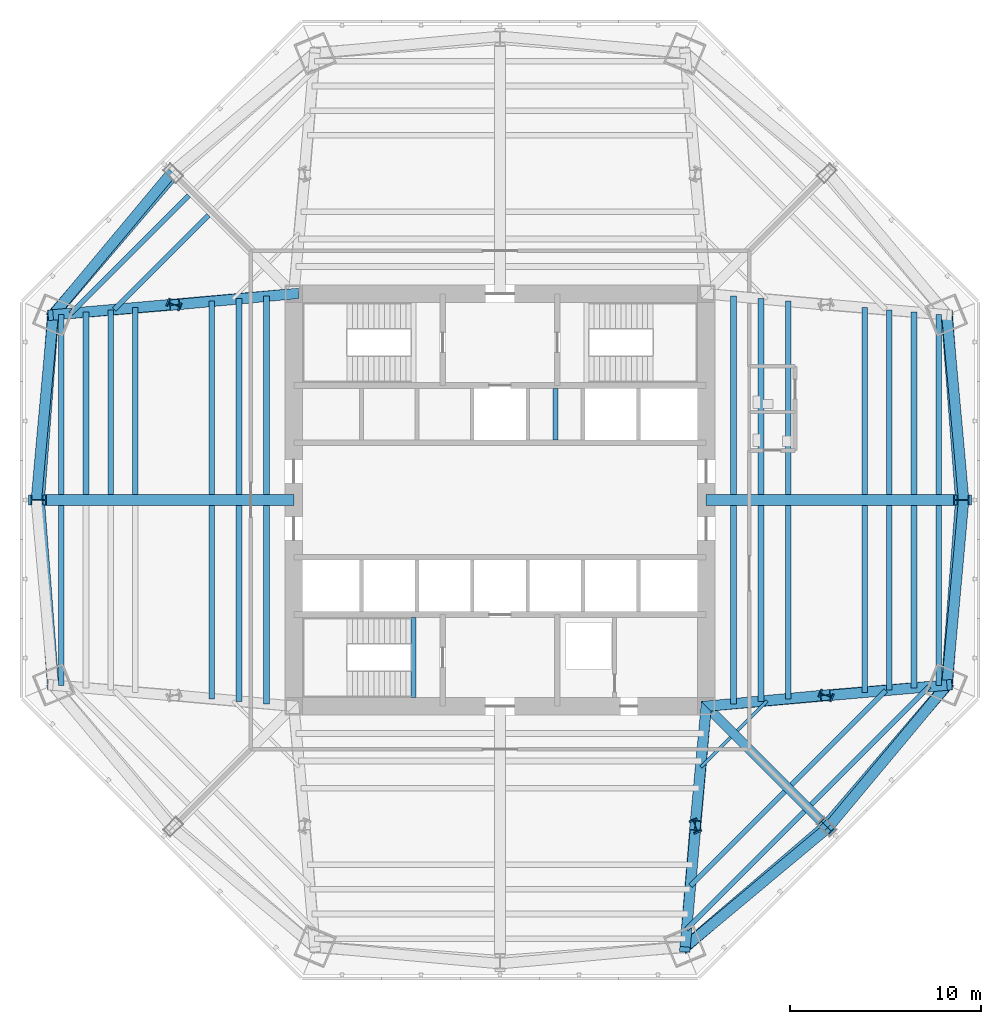
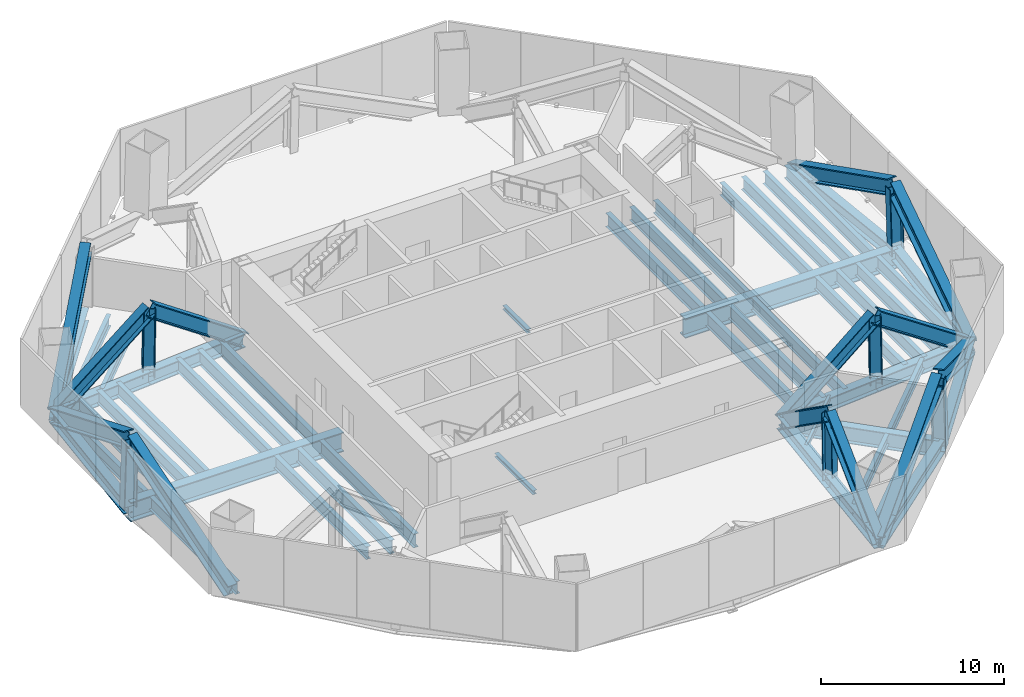
# One storey, part 2 of 9: 38 beams, 31 members.
"""IFC4 building model written with IfcOpenShell, lengths in metres."""

from ifc_helpers import new_model, si_unit, direction, frame, origin, origin_2d, place, context, subcontext, project, spatial, i_section, extrude, source, transform, mapped, material, material_profile, profile_set, type_object, type_shapes, element, save


model = new_model("IFC4")

# Units and contexts
model_context = context("Model", 3, precision=1e-05, world=origin(), true_north=direction((0.0, 1.0)))
body_context = subcontext(model_context, "Body", "Model", "MODEL_VIEW")
ifc_project = project(units=[si_unit("LENGTHUNIT", "METRE"), si_unit("AREAUNIT", "SQUARE_METRE"), si_unit("VOLUMEUNIT", "CUBIC_METRE"), si_unit("PLANEANGLEUNIT", "RADIAN"), si_unit("MASSUNIT", "GRAM", prefix="KILO")], contexts=[model_context])

# Site, building, storey
site_placement = place(None, origin())
site = spatial("IfcSite", under=ifc_project, at=site_placement, CompositionType="ELEMENT")
building_placement = place(site_placement, origin())
building = spatial("IfcBuilding", under=site, at=building_placement, Name="Mashrafa Tower", CompositionType="ELEMENT")
storey_placement = place(building_placement, frame((0.0, 0.0, 104.39990234375)))
storey = spatial("IfcBuildingStorey", under=building, at=storey_placement, Name="L23", CompositionType="ELEMENT", Elevation=104.39990234375)

# Beams
ifc_material_1 = material(Name="Steel ASTM A572 Gr 50", Category="steel")
ifc_material_profile_1 = material_profile(ifc_material_1, i_section(OverallWidth=0.5, OverallDepth=1.10009765625, WebThickness=0.02490234375, FlangeThickness=0.050048828125, at=origin_2d()), Name="H1100X500X25X50")
ifc_profile_set_1 = profile_set([ifc_material_profile_1], Name="Steel ASTM A572 Gr 50")
beam_type_1 = type_object("IfcBeamType", Name="Beam H1100X500X25X50", PredefinedType="BEAM", material=ifc_profile_set_1)
beam_1_placement = place(storey_placement, frame((10.800048828125, -10.800048828125, -0.7998046875), z_axis=(0.707106781187, -0.707106781187, 0.0), x_axis=(0.707106781187, 0.707106781187, 0.0)))
element("IfcBeam", 1, at=beam_1_placement, inside=storey, type_object=beam_type_1, Name="Radial girder L23 086", PredefinedType="BEAM", context=body_context, shape_type="SweptSolid", body=[
    extrude(i_section(OverallWidth=0.5, OverallDepth=1.10009765625, WebThickness=0.02490234375, FlangeThickness=0.050048828125, at=origin_2d()), origin(), (0.0, 0.0, 1.0), 8.994873046875),
])
ifc_material_2 = material(Name="Steel ASTM A572 Gr 50", Category="steel")
ifc_material_profile_2 = material_profile(ifc_material_2, i_section(OverallWidth=0.60009765625, OverallDepth=1.300048828125, WebThickness=0.028076171875, FlangeThickness=0.06494140625, at=origin_2d()), Name="H1300X600X28X65")
ifc_profile_set_2 = profile_set([ifc_material_profile_2], Name="Steel ASTM A572 Gr 50")
beam_type_2 = type_object("IfcBeamType", Name="Beam H1300X600X28X65", PredefinedType="BEAM", material=ifc_profile_set_2)
for number, where, z_axis, x_axis, name in (
    (2, (-10.800048828125, 0.0, -0.89990234375), (-1.0, 0.0, 0.0), (0.0, -1.0, 0.0), "Radial girder L23 082"),
    (3, (10.800048828125, 0.0, -0.89990234375), (1.0, 0.0, 0.0), (0.0, 1.0, 0.0), "Radial girder L23 087"),
):
    element("IfcBeam", number, at=place(storey_placement, frame(where, z_axis=z_axis, x_axis=x_axis)), inside=storey, type_object=beam_type_2, Name=name, PredefinedType="BEAM", context=body_context, shape_type="SweptSolid", body=[
        extrude(i_section(OverallWidth=0.60009765625, OverallDepth=1.300048828125, WebThickness=0.028076171875, FlangeThickness=0.06494140625, at=origin_2d()), origin(), (0.0, 0.0, 1.0), 13.468505859375),
    ])
ifc_material_3 = material(Name="Steel ASTM A992", Category="steel")
ifc_material_profile_3 = material_profile(ifc_material_3, i_section(OverallWidth=0.164794921875, OverallDepth=0.309814453125, WebThickness=0.005859375, FlangeThickness=0.009765625, FilletRadius=0.007568359375, at=origin_2d()), Name="W12X26")
ifc_profile_set_3 = profile_set([ifc_material_profile_3], Name="Steel ASTM A992")
beam_type_3 = type_object("IfcBeamType", Name="Beam W12X26", PredefinedType="BEAM", material=ifc_profile_set_3)
for number, where, z_axis, x_axis, name in (
    (4, (12.078857421875, -12.432373046875, -0.40478515625), (-0.707162086554, -0.707051471493, 0.0), (0.707051471493, -0.707162086554, 0.0), "Floor beam L23 060"),
    (5, (13.992919921875, -10.51806640625, -0.40478515625), (-0.707051471493, -0.707162086554, 0.0), (0.707162086554, -0.707051471493, 0.0), "Floor beam L23 064"),
):
    element("IfcBeam", number, at=place(storey_placement, frame(where, z_axis=z_axis, x_axis=x_axis)), inside=storey, type_object=beam_type_3, Name=name, PredefinedType="BEAM", context=body_context, shape_type="SweptSolid", body=[
        extrude(i_section(OverallWidth=0.164794921875, OverallDepth=0.309814453125, WebThickness=0.005859375, FlangeThickness=0.009765625, FilletRadius=0.007568359375, at=origin_2d()), origin(), (0.0, 0.0, 1.0), 2.20703125),
    ])
ifc_material_4 = material(Name="Steel ASTM A992", Category="steel")
ifc_material_profile_4 = material_profile(ifc_material_4, i_section(OverallWidth=0.25390625, OverallDepth=0.67822265625, WebThickness=0.01171875, FlangeThickness=0.016357421875, FilletRadius=0.01513671875, at=origin_2d()), Name="W27X84")
ifc_profile_set_4 = profile_set([ifc_material_profile_4], Name="Steel ASTM A992")
beam_type_4 = type_object("IfcBeamType", Name="Beam W27X84", PredefinedType="BEAM", material=ifc_profile_set_4)
for number, where, z_axis, x_axis, name in (
    (6, (-20.197509765625, 9.970458984375, -0.589111328125), (0.707106781187, 0.707106781187, 0.0), (-0.707106781187, 0.707106781187, 0.0), "Floor beam L23 008"),
    (7, (14.9072265625, -15.2607421875, -0.589111328125), (-0.707106781187, -0.707106781187, 0.0), (0.707106781187, -0.707106781187, 0.0), "Floor beam L23 065"),
    (8, (20.197509765625, -9.970458984375, -0.589111328125), (-0.707106781187, -0.707106781187, 0.0), (0.707106781187, -0.707106781187, 0.0), "Floor beam L23 073"),
):
    element("IfcBeam", number, at=place(storey_placement, frame(where, z_axis=z_axis, x_axis=x_axis)), inside=storey, type_object=beam_type_4, Name=name, PredefinedType="BEAM", context=body_context, shape_type="SweptSolid", body=[
        extrude(i_section(OverallWidth=0.25390625, OverallDepth=0.67822265625, WebThickness=0.01171875, FlangeThickness=0.016357421875, FilletRadius=0.01513671875, at=origin_2d()), origin(), (0.0, 0.0, 1.0), 6.981689453125),
    ])
ifc_material_5 = material(Name="Steel ASTM A992", Category="steel")
ifc_material_profile_5 = material_profile(ifc_material_5, i_section(OverallWidth=0.2666015625, OverallDepth=0.761962890625, WebThickness=0.014404296875, FlangeThickness=0.021484375, FilletRadius=0.0166015625, at=origin_2d()), Name="W30X116")
ifc_profile_set_5 = profile_set([ifc_material_profile_5], Name="Steel ASTM A992")
beam_type_5 = type_object("IfcBeamType", Name="Beam W30X116", PredefinedType="BEAM", material=ifc_profile_set_5)
for number, where, z_axis, x_axis, name in (
    (9, (-22.47509765625, 9.769287109375, -0.630859375), (0.707106781187, 0.707106781187, 0.0), (-0.707106781187, 0.707106781187, 0.0), "Floor beam L23 003"),
    (10, (15.9453125, -16.299072265625, -0.630859375), (-0.707106781187, -0.707106781187, 0.0), (0.707106781187, -0.707106781187, 0.0), "Floor beam L23 069"),
    (11, (22.47509765625, -9.769287109375, -0.630859375), (-0.707106781187, -0.707106781187, 0.0), (0.707106781187, -0.707106781187, 0.0), "Floor beam L23 078"),
):
    element("IfcBeam", number, at=place(storey_placement, frame(where, z_axis=z_axis, x_axis=x_axis)), inside=storey, type_object=beam_type_5, Name=name, PredefinedType="BEAM", context=body_context, shape_type="SweptSolid", body=[
        extrude(i_section(OverallWidth=0.2666015625, OverallDepth=0.761962890625, WebThickness=0.014404296875, FlangeThickness=0.021484375, FilletRadius=0.0166015625, at=origin_2d()), origin(), (0.0, 0.0, 1.0), 8.734130859375),
    ])
ifc_material_6 = material(Name="Steel ASTM A992", Category="steel")
ifc_material_profile_6 = material_profile(ifc_material_6, i_section(OverallWidth=0.2919921875, OverallDepth=0.8408203125, WebThickness=0.0146484375, FlangeThickness=0.021728515625, FilletRadius=0.017333984375, at=origin_2d()), Name="W33X130")
ifc_profile_set_6 = profile_set([ifc_material_profile_6], Name="Steel ASTM A992")
beam_type_6 = type_object("IfcBeamType", Name="Beam W33X130", PredefinedType="BEAM", material=ifc_profile_set_6)
for number, where, z_axis, x_axis, name in (
    (12, (-22.97509765625, -9.72509765625, -0.670166015625), (0.0, 1.0, 0.0), (-1.0, 0.0, 0.0), "Floor beam L23 001"),
    (13, (-22.97509765625, 0.300048828125, -0.670166015625), (0.0, 1.0, 0.0), (-1.0, 0.0, 0.0), "Floor beam L23 002"),
):
    element("IfcBeam", number, at=place(storey_placement, frame(where, z_axis=z_axis, x_axis=x_axis)), inside=storey, type_object=beam_type_6, Name=name, PredefinedType="BEAM", context=body_context, shape_type="SweptSolid", body=[
        extrude(i_section(OverallWidth=0.2919921875, OverallDepth=0.8408203125, WebThickness=0.0146484375, FlangeThickness=0.021728515625, FilletRadius=0.017333984375, at=origin_2d()), origin(), (0.0, 0.0, 1.0), 9.425048828125),
    ])
beam_2_placement = place(storey_placement, frame((-21.681884765625, 0.300048828125, -0.670166015625), z_axis=(0.0, 1.0, 0.0), x_axis=(-1.0, 0.0, 0.0)))
element("IfcBeam", 14, at=beam_2_placement, inside=storey, type_object=beam_type_6, Name="Floor beam L23 005", PredefinedType="BEAM", context=body_context, shape_type="SweptSolid", body=[
    extrude(i_section(OverallWidth=0.2919921875, OverallDepth=0.8408203125, WebThickness=0.0146484375, FlangeThickness=0.021728515625, FilletRadius=0.017333984375, at=origin_2d()), origin(), (0.0, 0.0, 1.0), 9.539306640625),
])
for number, where, z_axis, x_axis, name in (
    (15, (-20.388427734375, 0.300048828125, -0.670166015625), (0.0, 1.0, 0.0), (-1.0, 0.0, 0.0), "Floor beam L23 007"),
    (16, (20.388427734375, -0.300048828125, -0.670166015625), (0.0, -1.0, 0.0), (1.0, 0.0, 0.0), "Floor beam L23 074"),
    (17, (20.388427734375, 9.95361328125, -0.670166015625), (0.0, -1.0, 0.0), (1.0, 0.0, 0.0), "Floor beam L23 075"),
):
    element("IfcBeam", number, at=place(storey_placement, frame(where, z_axis=z_axis, x_axis=x_axis)), inside=storey, type_object=beam_type_6, Name=name, PredefinedType="BEAM", context=body_context, shape_type="SweptSolid", body=[
        extrude(i_section(OverallWidth=0.2919921875, OverallDepth=0.8408203125, WebThickness=0.0146484375, FlangeThickness=0.021728515625, FilletRadius=0.017333984375, at=origin_2d()), origin(), (0.0, 0.0, 1.0), 9.653564453125),
    ])
for number, where, z_axis, x_axis, name in (
    (18, (21.681884765625, -0.300048828125, -0.670166015625), (0.0, -1.0, 0.0), (1.0, 0.0, 0.0), "Floor beam L23 076"),
    (19, (21.681884765625, 9.83935546875, -0.670166015625), (0.0, -1.0, 0.0), (1.0, 0.0, 0.0), "Floor beam L23 077"),
):
    element("IfcBeam", number, at=place(storey_placement, frame(where, z_axis=z_axis, x_axis=x_axis)), inside=storey, type_object=beam_type_6, Name=name, PredefinedType="BEAM", context=body_context, shape_type="SweptSolid", body=[
        extrude(i_section(OverallWidth=0.2919921875, OverallDepth=0.8408203125, WebThickness=0.0146484375, FlangeThickness=0.021728515625, FilletRadius=0.017333984375, at=origin_2d()), origin(), (0.0, 0.0, 1.0), 9.539306640625),
    ])
for number, where, z_axis, x_axis, name in (
    (20, (22.97509765625, -0.300048828125, -0.670166015625), (0.0, -1.0, 0.0), (1.0, 0.0, 0.0), "Floor beam L23 079"),
    (21, (22.97509765625, 9.72509765625, -0.670166015625), (0.0, -1.0, 0.0), (1.0, 0.0, 0.0), "Floor beam L23 080"),
):
    element("IfcBeam", number, at=place(storey_placement, frame(where, z_axis=z_axis, x_axis=x_axis)), inside=storey, type_object=beam_type_6, Name=name, PredefinedType="BEAM", context=body_context, shape_type="SweptSolid", body=[
        extrude(i_section(OverallWidth=0.2919921875, OverallDepth=0.8408203125, WebThickness=0.0146484375, FlangeThickness=0.021728515625, FilletRadius=0.017333984375, at=origin_2d()), origin(), (0.0, 0.0, 1.0), 9.425048828125),
    ])
ifc_material_7 = material(Name="Steel ASTM A992", Category="steel")
ifc_material_profile_7 = material_profile(ifc_material_7, i_section(OverallWidth=0.2919921875, OverallDepth=0.845703125, WebThickness=0.015380859375, FlangeThickness=0.0244140625, FilletRadius=0.017333984375, at=origin_2d()), Name="W33X141")
ifc_profile_set_7 = profile_set([ifc_material_profile_7], Name="Steel ASTM A992")
beam_type_7 = type_object("IfcBeamType", Name="Beam W33X141", PredefinedType="BEAM", material=ifc_profile_set_7)
beam_3_placement = place(storey_placement, frame((-19.094970703125, 0.300048828125, -0.6728515625), z_axis=(0.0, 1.0, 0.0), x_axis=(-1.0, 0.0, 0.0)))
element("IfcBeam", 22, at=beam_3_placement, inside=storey, type_object=beam_type_7, Name="Floor beam L23 010", PredefinedType="BEAM", context=body_context, shape_type="SweptSolid", body=[
    extrude(i_section(OverallWidth=0.2919921875, OverallDepth=0.845703125, WebThickness=0.015380859375, FlangeThickness=0.0244140625, FilletRadius=0.017333984375, at=origin_2d()), origin(), (0.0, 0.0, 1.0), 9.767822265625),
])
for number, where, z_axis, x_axis, name in (
    (23, (-15.094970703125, -10.4208984375, -0.6728515625), (0.0, 1.0, 0.0), (-1.0, 0.0, 0.0), "Floor beam L23 013"),
    (24, (-15.094970703125, 0.300048828125, -0.6728515625), (0.0, 1.0, 0.0), (-1.0, 0.0, 0.0), "Floor beam L23 014"),
    (25, (15.094970703125, -0.300048828125, -0.6728515625), (0.0, -1.0, 0.0), (1.0, 0.0, 0.0), "Floor beam L23 067"),
    (26, (15.094970703125, 10.4208984375, -0.6728515625), (0.0, -1.0, 0.0), (1.0, 0.0, 0.0), "Floor beam L23 068"),
):
    element("IfcBeam", number, at=place(storey_placement, frame(where, z_axis=z_axis, x_axis=x_axis)), inside=storey, type_object=beam_type_7, Name=name, PredefinedType="BEAM", context=body_context, shape_type="SweptSolid", body=[
        extrude(i_section(OverallWidth=0.2919921875, OverallDepth=0.845703125, WebThickness=0.015380859375, FlangeThickness=0.0244140625, FilletRadius=0.017333984375, at=origin_2d()), origin(), (0.0, 0.0, 1.0), 10.120849609375),
    ])
for number, where, z_axis, x_axis, name in (
    (27, (19.094970703125, -0.300048828125, -0.6728515625), (0.0, -1.0, 0.0), (1.0, 0.0, 0.0), "Floor beam L23 071"),
    (28, (19.094970703125, 10.06787109375, -0.6728515625), (0.0, -1.0, 0.0), (1.0, 0.0, 0.0), "Floor beam L23 072"),
):
    element("IfcBeam", number, at=place(storey_placement, frame(where, z_axis=z_axis, x_axis=x_axis)), inside=storey, type_object=beam_type_7, Name=name, PredefinedType="BEAM", context=body_context, shape_type="SweptSolid", body=[
        extrude(i_section(OverallWidth=0.2919921875, OverallDepth=0.845703125, WebThickness=0.015380859375, FlangeThickness=0.0244140625, FilletRadius=0.017333984375, at=origin_2d()), origin(), (0.0, 0.0, 1.0), 9.767822265625),
    ])
ifc_material_8 = material(Name="Steel ASTM A992", Category="steel")
ifc_material_profile_8 = material_profile(ifc_material_8, i_section(OverallWidth=0.3046875, OverallDepth=0.911865234375, WebThickness=0.015869140625, FlangeThickness=0.02392578125, FilletRadius=0.01904296875, at=origin_2d()), Name="W36X150")
ifc_profile_set_8 = profile_set([ifc_material_profile_8], Name="Steel ASTM A992")
beam_type_8 = type_object("IfcBeamType", Name="Beam W36X150", PredefinedType="BEAM", material=ifc_profile_set_8)
for number, where, z_axis, x_axis, name in (
    (29, (-13.663330078125, -10.547119140625, -0.705810546875), (0.0, 1.0, 0.0), (-1.0, 0.0, 0.0), "Floor beam L23 018"),
    (30, (-13.663330078125, 0.300048828125, -0.705810546875), (0.0, 1.0, 0.0), (-1.0, 0.0, 0.0), "Floor beam L23 019"),
):
    element("IfcBeam", number, at=place(storey_placement, frame(where, z_axis=z_axis, x_axis=x_axis)), inside=storey, type_object=beam_type_8, Name=name, PredefinedType="BEAM", context=body_context, shape_type="SweptSolid", body=[
        extrude(i_section(OverallWidth=0.3046875, OverallDepth=0.911865234375, WebThickness=0.015869140625, FlangeThickness=0.02392578125, FilletRadius=0.01904296875, at=origin_2d()), origin(), (0.0, 0.0, 1.0), 10.2470703125),
    ])
for number, where, z_axis, x_axis, name in (
    (31, (-12.231689453125, -10.673583984375, -0.705810546875), (0.0, 1.0, 0.0), (-1.0, 0.0, 0.0), "Floor beam L23 022"),
    (32, (-12.231689453125, 0.300048828125, -0.705810546875), (0.0, 1.0, 0.0), (-1.0, 0.0, 0.0), "Floor beam L23 023"),
    (33, (12.231689453125, -0.300048828125, -0.705810546875), (0.0, -1.0, 0.0), (1.0, 0.0, 0.0), "Floor beam L23 058"),
    (34, (12.231689453125, 10.673583984375, -0.705810546875), (0.0, -1.0, 0.0), (1.0, 0.0, 0.0), "Floor beam L23 059"),
):
    element("IfcBeam", number, at=place(storey_placement, frame(where, z_axis=z_axis, x_axis=x_axis)), inside=storey, type_object=beam_type_8, Name=name, PredefinedType="BEAM", context=body_context, shape_type="SweptSolid", body=[
        extrude(i_section(OverallWidth=0.3046875, OverallDepth=0.911865234375, WebThickness=0.015869140625, FlangeThickness=0.02392578125, FilletRadius=0.01904296875, at=origin_2d()), origin(), (0.0, 0.0, 1.0), 10.37353515625),
    ])
for number, where, z_axis, x_axis, name in (
    (35, (13.663330078125, -0.300048828125, -0.705810546875), (0.0, -1.0, 0.0), (1.0, 0.0, 0.0), "Floor beam L23 062"),
    (36, (13.663330078125, 10.547119140625, -0.705810546875), (0.0, -1.0, 0.0), (1.0, 0.0, 0.0), "Floor beam L23 063"),
):
    element("IfcBeam", number, at=place(storey_placement, frame(where, z_axis=z_axis, x_axis=x_axis)), inside=storey, type_object=beam_type_8, Name=name, PredefinedType="BEAM", context=body_context, shape_type="SweptSolid", body=[
        extrude(i_section(OverallWidth=0.3046875, OverallDepth=0.911865234375, WebThickness=0.015869140625, FlangeThickness=0.02392578125, FilletRadius=0.01904296875, at=origin_2d()), origin(), (0.0, 0.0, 1.0), 10.2470703125),
    ])
ifc_material_9 = material(Name="Steel ASTM A992", Category="steel")
ifc_material_profile_9 = material_profile(ifc_material_9, i_section(OverallWidth=0.25390625, OverallDepth=0.25390625, WebThickness=0.008544921875, FlangeThickness=0.01416015625, FilletRadius=0.010009765625, at=origin_2d()), Name="W10X49")
ifc_profile_set_9 = profile_set([ifc_material_profile_9], Name="Steel ASTM A992")
beam_type_9 = type_object("IfcBeamType", Name="Hoistway beam W10X49", PredefinedType="BEAM", material=ifc_profile_set_9)
beam_4_placement = place(storey_placement, frame((2.89990234375, 3.14990234375, -0.376953125), z_axis=(0.0, 1.0, 0.0), x_axis=(-1.0, 0.0, 0.0)))
element("IfcBeam", 37, at=beam_4_placement, inside=storey, type_object=beam_type_9, Name="Hoistway beam L23 06", PredefinedType="BEAM", context=body_context, shape_type="SweptSolid", body=[
    extrude(i_section(OverallWidth=0.25390625, OverallDepth=0.25390625, WebThickness=0.008544921875, FlangeThickness=0.01416015625, FilletRadius=0.010009765625, at=origin_2d()), origin(), (0.0, 0.0, 1.0), 2.7001953125),
])
beam_5_placement = place(storey_placement, frame((-4.530029296875, -10.35009765625, -0.376953125), z_axis=(0.0, 1.0, 0.0), x_axis=(-1.0, 0.0, 0.0)))
element("IfcBeam", 38, at=beam_5_placement, inside=storey, type_object=beam_type_9, Name="Stair S3 landing beam L23", PredefinedType="BEAM", context=body_context, shape_type="SweptSolid", body=[
    extrude(i_section(OverallWidth=0.25390625, OverallDepth=0.25390625, WebThickness=0.008544921875, FlangeThickness=0.01416015625, FilletRadius=0.010009765625, at=origin_2d()), origin(), (0.0, 0.0, 1.0), 4.2001953125),
])

# Members
ifc_material_10 = material(Name="Steel ASTM A572 Gr 50", Category="steel")
ifc_material_profile_10 = material_profile(ifc_material_10, i_section(OverallWidth=0.550048828125, OverallDepth=0.89990234375, WebThickness=0.034912109375, FlangeThickness=0.06005859375, at=origin_2d()), Name="H900X550X35X60")
ifc_profile_set_10 = profile_set([ifc_material_profile_10], Name="Steel ASTM A572 Gr 50")
member_type_1 = type_object("IfcMemberType", Name="Belt truss chord H900X550X35X60", PredefinedType="CHORD", material=ifc_profile_set_10)
shared_shape_1 = source(origin(), body_context, "Body", "SweptSolid", [
    extrude(i_section(OverallWidth=0.550048828125, OverallDepth=0.89990234375, WebThickness=0.034912109375, FlangeThickness=0.06005859375, at=origin_2d()), origin(), (0.0, 0.0, 1.0), 9.733642578125),
])
type_shapes(member_type_1, [shared_shape_1])
for number, where, z_axis, x_axis, name in (
    (39, (23.403076171875, -9.69384765625, -0.699951171875), (0.090221389171, 0.995921734343, 0.0), (-0.995921734343, 0.090221389171, 0.0), "Belt truss bottom chord east face L23 right"),
    (40, (23.403076171875, 9.69384765625, -0.699951171875), (0.090221389171, -0.995921734343, 0.0), (0.995921734343, 0.090221389171, 0.0), "Belt truss bottom chord east face L23 left"),
    (41, (-23.403076171875, 9.69384765625, -0.699951171875), (0.6404261448, 0.76801976085, 0.0), (-0.76801976085, 0.6404261448, 0.0), "Belt truss bottom chord north-west face L23 left"),
    (42, (-23.403076171875, 9.69384765625, -0.699951171875), (-0.090221389171, -0.995921734343, 0.0), (0.995921734343, -0.090221389171, 0.0), "Belt truss bottom chord west face L23 right"),
    (43, (9.69384765625, -23.403076171875, -0.699951171875), (0.76801976085, 0.6404261448, 0.0), (-0.6404261448, 0.76801976085, 0.0), "Belt truss bottom chord south-east face L23 right"),
    (44, (23.403076171875, -9.69384765625, -0.699951171875), (-0.6404261448, -0.76801976085, 0.0), (0.76801976085, -0.6404261448, 0.0), "Belt truss bottom chord south-east face L23 left"),
):
    element("IfcMember", number, at=place(storey_placement, frame(where, z_axis=z_axis, x_axis=x_axis)), inside=storey, type_object=member_type_1, Name=name, PredefinedType="CHORD", context=body_context, shape_type="MappedRepresentation", body=[
        mapped(shared_shape_1, transform((0.0, 0.0, 0.0))),
    ])
ifc_material_11 = material(Name="Steel ASTM A572 Gr 50", Category="steel")
ifc_material_profile_11 = material_profile(ifc_material_11, i_section(OverallWidth=0.5, OverallDepth=0.800048828125, WebThickness=0.031982421875, FlangeThickness=0.050048828125, at=origin_2d()), Name="H800X500X32X50")
ifc_profile_set_11 = profile_set([ifc_material_profile_11], Name="Steel ASTM A572 Gr 50")
member_type_2 = type_object("IfcMemberType", Name="Belt truss post H800X500X32X50", PredefinedType="POST", material=ifc_profile_set_11)
shared_shape_2 = source(origin(), body_context, "Body", "SweptSolid", [
    extrude(i_section(OverallWidth=0.5, OverallDepth=0.800048828125, WebThickness=0.031982421875, FlangeThickness=0.050048828125, at=origin_2d()), origin(), (0.0, 0.0, 1.0), 4.501708984375),
])
type_shapes(member_type_2, [shared_shape_2])
for number, where, z_axis, x_axis, name in (
    (45, (24.28125, 0.0, -0.699951171875), (-0.028308962314, 0.0, 0.999599221014), (0.0, -1.0, 0.0), "Belt truss post east face L23"),
    (46, (-24.28125, 0.0, -0.699951171875), (0.028308962314, 0.0, 0.999599221014), (0.0, 1.0, 0.0), "Belt truss post west face L23"),
    (47, (17.16943359375, -17.16943359375, -0.699951171875), (-0.02001151261, 0.02001151261, 0.999599459147), (-0.707106781187, -0.707106781187, 0.0), "Belt truss post south-east face L23"),
):
    element("IfcMember", number, at=place(storey_placement, frame(where, z_axis=z_axis, x_axis=x_axis)), inside=storey, type_object=member_type_2, Name=name, PredefinedType="POST", context=body_context, shape_type="MappedRepresentation", body=[
        mapped(shared_shape_2, transform((0.0, 0.0, 0.0))),
    ])
ifc_material_12 = material(Name="Steel ASTM A572 Gr 50", Category="steel")
ifc_material_profile_12 = material_profile(ifc_material_12, i_section(OverallWidth=0.60009765625, OverallDepth=1.0, WebThickness=0.0400390625, FlangeThickness=0.070068359375, at=origin_2d()), Name="H1000X600X40X70")
ifc_profile_set_12 = profile_set([ifc_material_profile_12], Name="Steel ASTM A572 Gr 50")
member_type_3 = type_object("IfcMemberType", Name="Belt truss diagonal H1000X600X40X70", PredefinedType="BRACE", material=ifc_profile_set_12)
shared_shape_3 = source(origin(), body_context, "Body", "SweptSolid", [
    extrude(i_section(OverallWidth=0.60009765625, OverallDepth=1.0, WebThickness=0.0400390625, FlangeThickness=0.070068359375, at=origin_2d()), origin(), (0.0, 0.0, 1.0), 10.713623046875),
])
for number, where, z_axis, x_axis, name in (
    (48, (23.403076171875, -9.69384765625, -0.699951171875), (0.070071911046, 0.904804975602, 0.420021289233), (-0.997014618947, 0.077213014488, 0.0), "Belt truss diagonal east face L23 right"),
    (49, (23.403076171875, 9.69384765625, -0.699951171875), (0.070071911046, -0.904804975602, 0.420021289233), (0.997014618947, 0.077213014488, 0.0), "Belt truss diagonal east face L23 left"),
    (50, (-23.403076171875, 9.69384765625, -0.699951171875), (-0.070071911046, -0.904804975602, 0.420021289233), (0.997014618947, -0.077213014488, 0.0), "Belt truss diagonal west face L23 right"),
    (51, (-23.403076171875, -9.69384765625, -0.699951171875), (-0.070071911046, 0.904804975602, 0.420021289233), (-0.997014618947, -0.077213014488, 0.0), "Belt truss diagonal west face L23 left"),
):
    element("IfcMember", number, at=place(storey_placement, frame(where, z_axis=z_axis, x_axis=x_axis)), inside=storey, type_object=member_type_3, Name=name, PredefinedType="BRACE", context=body_context, shape_type="MappedRepresentation", body=[
        mapped(shared_shape_3, transform((0.0, 0.0, 0.0))),
    ])
shared_shape_4 = source(origin(), body_context, "Body", "SweptSolid", [
    extrude(i_section(OverallWidth=0.60009765625, OverallDepth=1.0, WebThickness=0.0400390625, FlangeThickness=0.070068359375, at=origin_2d()), origin(), (0.0, 0.0, 1.0), 10.7138671875),
])
type_shapes(member_type_3, [shared_shape_3, shared_shape_4])
for number, where, z_axis, x_axis, name in (
    (52, (-23.403076171875, 9.69384765625, -0.699951171875), (0.590242532092, 0.689345488314, 0.42001970317), (-0.759596810312, 0.650394254098, 0.0), "Belt truss diagonal north-west face L23 left"),
    (53, (9.69384765625, -23.403076171875, -0.699951171875), (0.689345488314, 0.590242532092, 0.42001970317), (-0.650394254098, 0.759596810312, 0.0), "Belt truss diagonal south-east face L23 right"),
    (54, (23.403076171875, -9.69384765625, -0.699951171875), (-0.590242532092, -0.689345488314, 0.42001970317), (0.759596810312, -0.650394254098, 0.0), "Belt truss diagonal south-east face L23 left"),
):
    element("IfcMember", number, at=place(storey_placement, frame(where, z_axis=z_axis, x_axis=x_axis)), inside=storey, type_object=member_type_3, Name=name, PredefinedType="BRACE", context=body_context, shape_type="MappedRepresentation", body=[
        mapped(shared_shape_4, transform((0.0, 0.0, 0.0))),
    ])
ifc_material_13 = material(Name="Steel ASTM A572 Gr 50", Category="steel")
ifc_material_profile_13 = material_profile(ifc_material_13, i_section(OverallWidth=0.550048828125, OverallDepth=0.89990234375, WebThickness=0.034912109375, FlangeThickness=0.06005859375, at=origin_2d()), Name="H900X550X35X60")
ifc_profile_set_13 = profile_set([ifc_material_profile_13], Name="Steel ASTM A572 Gr 50")
member_type_4 = type_object("IfcMemberType", Name="Outrigger chord H900X550X35X60", PredefinedType="CHORD", material=ifc_profile_set_13)
shared_shape_5 = source(origin(), body_context, "Body", "SweptSolid", [
    extrude(i_section(OverallWidth=0.550048828125, OverallDepth=0.89990234375, WebThickness=0.034912109375, FlangeThickness=0.06005859375, at=origin_2d()), origin(), (0.0, 0.0, 1.0), 6.32568359375),
])
type_shapes(member_type_4, [shared_shape_5])
for number, where, z_axis, x_axis, name in (
    (55, (-10.800048828125, 10.800048828125, -0.699951171875), (-0.996168414642, -0.087455644011, 0.0), (0.087455644011, -0.996168414642, 0.0), "Outrigger bottom chord MC4 L23 core end"),
    (56, (-17.1015625, 10.246826171875, -0.699951171875), (-0.996171776311, -0.087417344285, 0.0), (0.087417344285, -0.996171776311, 0.0), "Outrigger bottom chord MC4 L23 column end"),
    (57, (10.800048828125, -10.800048828125, -0.699951171875), (-0.087455644011, -0.996168414642, 0.0), (0.996168414642, -0.087455644011, 0.0), "Outrigger bottom chord MC7 L23 core end"),
    (58, (10.246826171875, -17.1015625, -0.699951171875), (-0.087417344285, -0.996171776311, 0.0), (0.996171776311, -0.087417344285, 0.0), "Outrigger bottom chord MC7 L23 column end"),
    (59, (10.800048828125, -10.800048828125, -0.699951171875), (0.996168414642, 0.087455644011, 0.0), (-0.087455644011, 0.996168414642, 0.0), "Outrigger bottom chord MC8 L23 core end"),
    (60, (17.1015625, -10.246826171875, -0.699951171875), (0.996171776311, 0.087417344285, 0.0), (-0.087417344285, 0.996171776311, 0.0), "Outrigger bottom chord MC8 L23 column end"),
):
    element("IfcMember", number, at=place(storey_placement, frame(where, z_axis=z_axis, x_axis=x_axis)), inside=storey, type_object=member_type_4, Name=name, PredefinedType="CHORD", context=body_context, shape_type="MappedRepresentation", body=[
        mapped(shared_shape_5, transform((0.0, 0.0, 0.0))),
    ])
ifc_material_14 = material(Name="Steel ASTM A572 Gr 50", Category="steel")
ifc_material_profile_14 = material_profile(ifc_material_14, i_section(OverallWidth=0.449951171875, OverallDepth=0.699951171875, WebThickness=0.028076171875, FlangeThickness=0.044921875, at=origin_2d()), Name="H700X450X28X45")
ifc_profile_set_14 = profile_set([ifc_material_profile_14], Name="Steel ASTM A572 Gr 50")
member_type_5 = type_object("IfcMemberType", Name="Outrigger post H700X450X28X45", PredefinedType="POST", material=ifc_profile_set_14)
shared_shape_6 = source(origin(), body_context, "Body", "SweptSolid", [
    extrude(i_section(OverallWidth=0.449951171875, OverallDepth=0.699951171875, WebThickness=0.028076171875, FlangeThickness=0.044921875, at=origin_2d()), origin(), (0.0, 0.0, 1.0), 4.50048828125),
])
type_shapes(member_type_5, [shared_shape_6])
for number, where, z_axis, x_axis, name in (
    (61, (-17.1015625, 10.246826171875, -0.699951171875), (0.014158493841, -0.005858687107, 0.999882599527), (0.382351792726, 0.924016832422, 0.0), "Outrigger post MC4 L23"),
    (62, (10.246826171875, -17.1015625, -0.699951171875), (-0.005858687107, 0.014158493841, 0.999882599527), (-0.924016832422, -0.382351792726, 0.0), "Outrigger post MC7 L23"),
    (63, (17.1015625, -10.246826171875, -0.699951171875), (-0.014158493841, 0.005858687107, 0.999882599527), (-0.382351792726, -0.924016832422, 0.0), "Outrigger post MC8 L23"),
):
    element("IfcMember", number, at=place(storey_placement, frame(where, z_axis=z_axis, x_axis=x_axis)), inside=storey, type_object=member_type_5, Name=name, PredefinedType="POST", context=body_context, shape_type="MappedRepresentation", body=[
        mapped(shared_shape_6, transform((0.0, 0.0, 0.0))),
    ])
ifc_material_15 = material(Name="Steel ASTM A572 Gr 50", Category="steel")
ifc_material_profile_15 = material_profile(ifc_material_15, i_section(OverallWidth=0.550048828125, OverallDepth=0.89990234375, WebThickness=0.034912109375, FlangeThickness=0.06005859375, at=origin_2d()), Name="H900X550X35X60")
ifc_profile_set_15 = profile_set([ifc_material_profile_15], Name="Steel ASTM A572 Gr 50")
member_type_6 = type_object("IfcMemberType", Name="Outrigger diagonal H900X550X35X60", PredefinedType="BRACE", material=ifc_profile_set_15)
shared_shape_7 = source(origin(), body_context, "Body", "SweptSolid", [
    extrude(i_section(OverallWidth=0.550048828125, OverallDepth=0.89990234375, WebThickness=0.034912109375, FlangeThickness=0.06005859375, at=origin_2d()), origin(), (0.0, 0.0, 1.0), 7.71337890625),
])
for number, where, z_axis, x_axis, name in (
    (64, (-10.800048828125, 10.800048828125, -0.699951171875), (-0.808699407937, -0.075140993912, 0.583403032763), (0.092517341994, -0.995711073269, 0.0), "Outrigger diagonal MC4 L23 core end"),
    (65, (10.800048828125, -10.800048828125, -0.699951171875), (-0.075140993912, -0.808699407937, 0.583403032763), (0.995711073269, -0.092517341994, 0.0), "Outrigger diagonal MC7 L23 core end"),
    (66, (10.800048828125, -10.800048828125, -0.699951171875), (0.808699407937, 0.075140993912, 0.583403032763), (-0.092517341994, 0.995711073269, 0.0), "Outrigger diagonal MC8 L23 core end"),
):
    element("IfcMember", number, at=place(storey_placement, frame(where, z_axis=z_axis, x_axis=x_axis)), inside=storey, type_object=member_type_6, Name=name, PredefinedType="BRACE", context=body_context, shape_type="MappedRepresentation", body=[
        mapped(shared_shape_7, transform((0.0, 0.0, 0.0))),
    ])
shared_shape_8 = source(origin(), body_context, "Body", "SweptSolid", [
    extrude(i_section(OverallWidth=0.550048828125, OverallDepth=0.89990234375, WebThickness=0.034912109375, FlangeThickness=0.06005859375, at=origin_2d()), origin(), (0.0, 0.0, 1.0), 7.81298828125),
])
type_shapes(member_type_6, [shared_shape_7, shared_shape_8])
for number, where, z_axis, x_axis, name in (
    (67, (-23.403076171875, 9.69384765625, -0.699951171875), (0.81469412814, 0.067401627585, 0.575960500532), (-0.082450741002, 0.996595141122, 0.0), "Outrigger diagonal MC4 L23 column end"),
    (68, (9.69384765625, -23.403076171875, -0.699951171875), (0.067401627585, 0.81469412814, 0.575960500532), (-0.996595141122, 0.082450741002, 0.0), "Outrigger diagonal MC7 L23 column end"),
    (69, (23.403076171875, -9.69384765625, -0.699951171875), (-0.81469412814, -0.067401627585, 0.575960500532), (0.082450741002, -0.996595141122, 0.0), "Outrigger diagonal MC8 L23 column end"),
):
    element("IfcMember", number, at=place(storey_placement, frame(where, z_axis=z_axis, x_axis=x_axis)), inside=storey, type_object=member_type_6, Name=name, PredefinedType="BRACE", context=body_context, shape_type="MappedRepresentation", body=[
        mapped(shared_shape_8, transform((0.0, 0.0, 0.0))),
    ])

save(model, "model.ifc")
